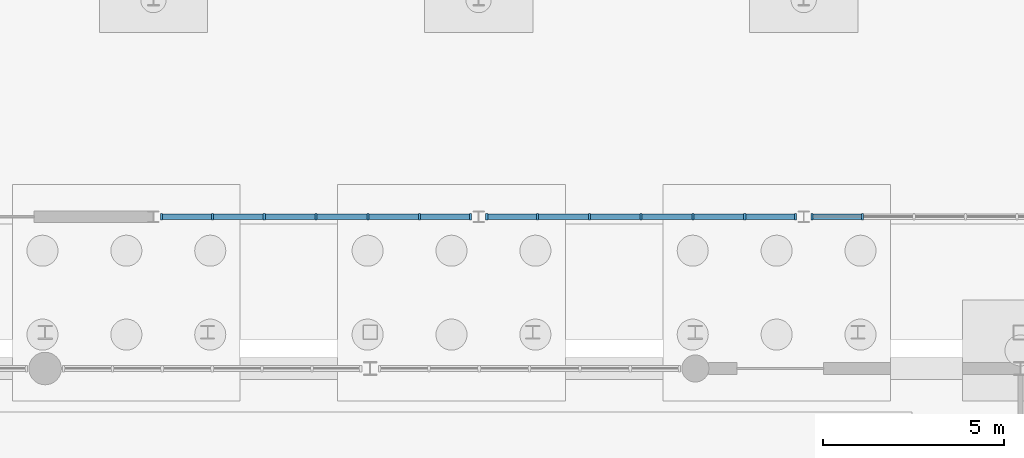
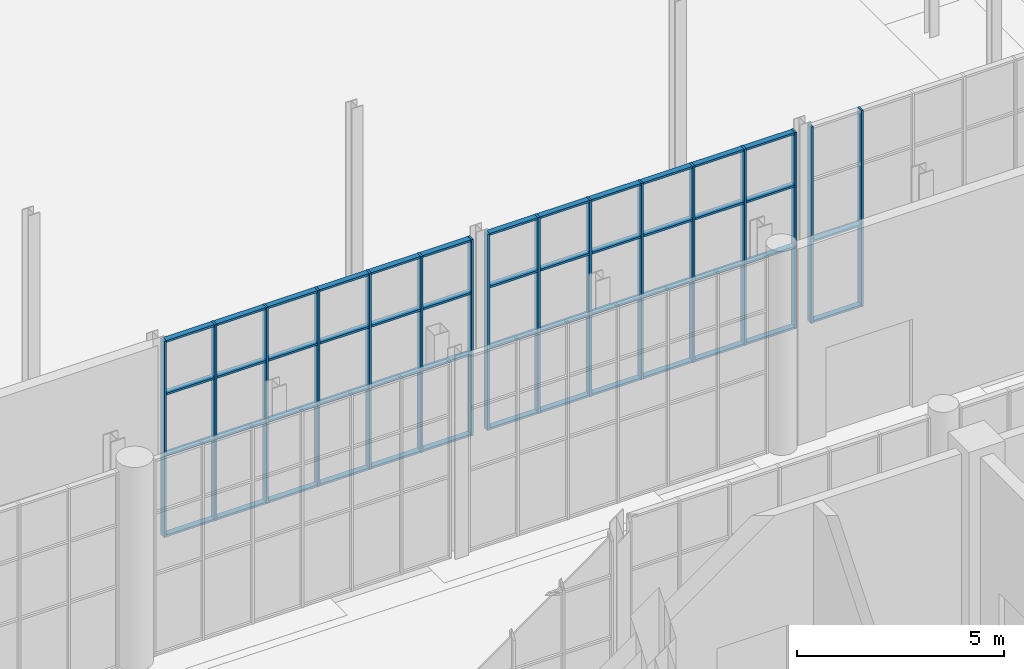
# One storey, part 67 of 131: 66 members, 3 elements without a shape of their own.
"""IFC4 building model written with IfcOpenShell, lengths in metres."""

from ifc_helpers import new_model, si_unit, direction, frame, origin, origin_2d, place, context, subcontext, project, spatial, rectangle, extrude, material, layer, layer_set, material_profile, profile_set, type_object, element, aggregate, save


model = new_model("IFC4")

# Units and contexts
model_context = context("Model", 3, precision=1e-05, world=origin(), true_north=direction((0.0, 1.0)))
body_context = subcontext(model_context, "Body", "Model", "MODEL_VIEW")
ifc_project = project(units=[si_unit("LENGTHUNIT", "METRE"), si_unit("AREAUNIT", "SQUARE_METRE"), si_unit("VOLUMEUNIT", "CUBIC_METRE"), si_unit("PLANEANGLEUNIT", "RADIAN"), si_unit("MASSUNIT", "GRAM", prefix="KILO")], contexts=[model_context])

# Site, building, storey
site_placement = place(None, origin())
site = spatial("IfcSite", under=ifc_project, at=site_placement, CompositionType="ELEMENT")
building_placement = place(site_placement, origin())
building = spatial("IfcBuilding", under=site, at=building_placement, Name="Cazmaro Siding Exhibition Halls", CompositionType="ELEMENT")
storey_placement = place(building_placement, origin())
storey = spatial("IfcBuildingStorey", under=building, at=storey_placement, Name="L00", CompositionType="ELEMENT", Elevation=0.0)

# Curtain wall, members
ifc_material_1 = material(Name="Anodized Bronze Aluminum and Solar-Control Low-E Glazing", Category="aluminium")
ifc_layer = layer(ifc_material_1, 0.179931640625)
ifc_layer_set = layer_set([ifc_layer], Name="Anodized Bronze Aluminum and Solar-Control Low-E Glazing")
curtain_wall_type = type_object("IfcCurtainWallType", Name="CWS-01", PredefinedType="USERDEFINED", material=ifc_layer_set)
curtain_wall_1_placement = place(storey_placement, origin())
curtain_wall_1 = element("IfcCurtainWall", 1, at=curtain_wall_1_placement, inside=storey, type_object=curtain_wall_type, Name="Glazed Curtain Wall CWS-01 CW-035", ObjectType="GLAZED CURTAIN WALL", PredefinedType="USERDEFINED")
ifc_material_2 = material(Name="Anodized Bronze Extruded Aluminum", Category="aluminium")
ifc_material_profile_1 = material_profile(ifc_material_2, rectangle(XDim=0.179931640625, YDim=0.06005859375, at=origin_2d()), Name="CWM-01")
ifc_profile_set_1 = profile_set([ifc_material_profile_1], Name="Anodized Bronze Extruded Aluminum")
member_type_1 = type_object("IfcMemberType", Name="CWM-01", PredefinedType="MULLION", material=ifc_profile_set_1)
member_1_placement = place(storey_placement, frame((129.22705078125, 67.199951171875, 0.0), z_axis=(0.0, 0.0, 1.0), x_axis=(0.0, 1.0, 0.0)))
member_1 = element("IfcMember", 2, at=member_1_placement, type_object=member_type_1, Name="CWS-01 mullion 1", PredefinedType="MULLION", context=body_context, shape_type="SweptSolid", body=[
    extrude(rectangle(XDim=0.179931640625, YDim=0.06005859375, at=origin_2d()), origin(), (0.0, 0.0, 1.0), 5.780029296875),
])
member_2_placement = place(storey_placement, frame((130.63134765625, 67.199951171875, 0.0), z_axis=(0.0, 0.0, 1.0), x_axis=(0.0, 1.0, 0.0)))
member_2 = element("IfcMember", 3, at=member_2_placement, type_object=member_type_1, Name="CWS-01 mullion 2", PredefinedType="MULLION", context=body_context, shape_type="SweptSolid", body=[
    extrude(rectangle(XDim=0.179931640625, YDim=0.06005859375, at=origin_2d()), origin(), (0.0, 0.0, 1.0), 5.780029296875),
])
member_3_placement = place(storey_placement, frame((132.065673828125, 67.199951171875, 0.0), z_axis=(0.0, 0.0, 1.0), x_axis=(0.0, 1.0, 0.0)))
member_3 = element("IfcMember", 4, at=member_3_placement, type_object=member_type_1, Name="CWS-01 mullion 3", PredefinedType="MULLION", context=body_context, shape_type="SweptSolid", body=[
    extrude(rectangle(XDim=0.179931640625, YDim=0.06005859375, at=origin_2d()), origin(), (0.0, 0.0, 1.0), 5.780029296875),
])
member_4_placement = place(storey_placement, frame((133.5, 67.199951171875, 0.0), z_axis=(0.0, 0.0, 1.0), x_axis=(0.0, 1.0, 0.0)))
member_4 = element("IfcMember", 5, at=member_4_placement, type_object=member_type_1, Name="CWS-01 mullion 4", PredefinedType="MULLION", context=body_context, shape_type="SweptSolid", body=[
    extrude(rectangle(XDim=0.179931640625, YDim=0.06005859375, at=origin_2d()), origin(), (0.0, 0.0, 1.0), 5.780029296875),
])
member_5_placement = place(storey_placement, frame((134.934326171875, 67.199951171875, 0.0), z_axis=(0.0, 0.0, 1.0), x_axis=(0.0, 1.0, 0.0)))
member_5 = element("IfcMember", 6, at=member_5_placement, type_object=member_type_1, Name="CWS-01 mullion 5", PredefinedType="MULLION", context=body_context, shape_type="SweptSolid", body=[
    extrude(rectangle(XDim=0.179931640625, YDim=0.06005859375, at=origin_2d()), origin(), (0.0, 0.0, 1.0), 5.780029296875),
])
member_6_placement = place(storey_placement, frame((136.36865234375, 67.199951171875, 0.0), z_axis=(0.0, 0.0, 1.0), x_axis=(0.0, 1.0, 0.0)))
member_6 = element("IfcMember", 7, at=member_6_placement, type_object=member_type_1, Name="CWS-01 mullion 6", PredefinedType="MULLION", context=body_context, shape_type="SweptSolid", body=[
    extrude(rectangle(XDim=0.179931640625, YDim=0.06005859375, at=origin_2d()), origin(), (0.0, 0.0, 1.0), 5.780029296875),
])
member_7_placement = place(storey_placement, frame((137.77294921875, 67.199951171875, 0.0), z_axis=(0.0, 0.0, 1.0), x_axis=(0.0, 1.0, 0.0)))
member_7 = element("IfcMember", 8, at=member_7_placement, type_object=member_type_1, Name="CWS-01 mullion 7", PredefinedType="MULLION", context=body_context, shape_type="SweptSolid", body=[
    extrude(rectangle(XDim=0.179931640625, YDim=0.06005859375, at=origin_2d()), origin(), (0.0, 0.0, 1.0), 5.780029296875),
])

curtain_wall_2_placement = place(storey_placement, origin())
curtain_wall_2 = element("IfcCurtainWall", 9, at=curtain_wall_2_placement, inside=storey, type_object=curtain_wall_type, Name="Glazed Curtain Wall CWS-01 CW-040", ObjectType="GLAZED CURTAIN WALL", PredefinedType="USERDEFINED")
member_8_placement = place(storey_placement, frame((138.22705078125, 67.199951171875, 0.0), z_axis=(0.0, 0.0, 1.0), x_axis=(0.0, 1.0, 0.0)))
member_8 = element("IfcMember", 10, at=member_8_placement, type_object=member_type_1, Name="CWS-01 mullion 1", PredefinedType="MULLION", context=body_context, shape_type="SweptSolid", body=[
    extrude(rectangle(XDim=0.179931640625, YDim=0.06005859375, at=origin_2d()), origin(), (0.0, 0.0, 1.0), 5.780029296875),
])
member_9_placement = place(storey_placement, frame((139.63134765625, 67.199951171875, 0.0), z_axis=(0.0, 0.0, 1.0), x_axis=(0.0, 1.0, 0.0)))
member_9 = element("IfcMember", 11, at=member_9_placement, type_object=member_type_1, Name="CWS-01 mullion 2", PredefinedType="MULLION", context=body_context, shape_type="SweptSolid", body=[
    extrude(rectangle(XDim=0.179931640625, YDim=0.06005859375, at=origin_2d()), origin(), (0.0, 0.0, 1.0), 5.780029296875),
])
member_10_placement = place(storey_placement, frame((141.065673828125, 67.199951171875, 0.0), z_axis=(0.0, 0.0, 1.0), x_axis=(0.0, 1.0, 0.0)))
member_10 = element("IfcMember", 12, at=member_10_placement, type_object=member_type_1, Name="CWS-01 mullion 3", PredefinedType="MULLION", context=body_context, shape_type="SweptSolid", body=[
    extrude(rectangle(XDim=0.179931640625, YDim=0.06005859375, at=origin_2d()), origin(), (0.0, 0.0, 1.0), 5.780029296875),
])
member_11_placement = place(storey_placement, frame((142.5, 67.199951171875, 0.0), z_axis=(0.0, 0.0, 1.0), x_axis=(0.0, 1.0, 0.0)))
member_11 = element("IfcMember", 13, at=member_11_placement, type_object=member_type_1, Name="CWS-01 mullion 4", PredefinedType="MULLION", context=body_context, shape_type="SweptSolid", body=[
    extrude(rectangle(XDim=0.179931640625, YDim=0.06005859375, at=origin_2d()), origin(), (0.0, 0.0, 1.0), 5.780029296875),
])
member_12_placement = place(storey_placement, frame((143.934326171875, 67.199951171875, 0.0), z_axis=(0.0, 0.0, 1.0), x_axis=(0.0, 1.0, 0.0)))
member_12 = element("IfcMember", 14, at=member_12_placement, type_object=member_type_1, Name="CWS-01 mullion 5", PredefinedType="MULLION", context=body_context, shape_type="SweptSolid", body=[
    extrude(rectangle(XDim=0.179931640625, YDim=0.06005859375, at=origin_2d()), origin(), (0.0, 0.0, 1.0), 5.780029296875),
])
member_13_placement = place(storey_placement, frame((145.36865234375, 67.199951171875, 0.0), z_axis=(0.0, 0.0, 1.0), x_axis=(0.0, 1.0, 0.0)))
member_13 = element("IfcMember", 15, at=member_13_placement, type_object=member_type_1, Name="CWS-01 mullion 6", PredefinedType="MULLION", context=body_context, shape_type="SweptSolid", body=[
    extrude(rectangle(XDim=0.179931640625, YDim=0.06005859375, at=origin_2d()), origin(), (0.0, 0.0, 1.0), 5.780029296875),
])
member_14_placement = place(storey_placement, frame((146.77294921875, 67.199951171875, 0.0), z_axis=(0.0, 0.0, 1.0), x_axis=(0.0, 1.0, 0.0)))
member_14 = element("IfcMember", 16, at=member_14_placement, type_object=member_type_1, Name="CWS-01 mullion 7", PredefinedType="MULLION", context=body_context, shape_type="SweptSolid", body=[
    extrude(rectangle(XDim=0.179931640625, YDim=0.06005859375, at=origin_2d()), origin(), (0.0, 0.0, 1.0), 5.780029296875),
])

curtain_wall_3_placement = place(storey_placement, origin())
curtain_wall_3 = element("IfcCurtainWall", 17, at=curtain_wall_3_placement, inside=storey, type_object=curtain_wall_type, Name="Glazed Curtain Wall CWS-01 CW-043", ObjectType="GLAZED CURTAIN WALL", PredefinedType="USERDEFINED")
member_15_placement = place(storey_placement, frame((147.22705078125, 67.199951171875, 0.0), z_axis=(0.0, 0.0, 1.0), x_axis=(0.0, 1.0, 0.0)))
member_15 = element("IfcMember", 18, at=member_15_placement, type_object=member_type_1, Name="CWS-01 mullion 1", PredefinedType="MULLION", context=body_context, shape_type="SweptSolid", body=[
    extrude(rectangle(XDim=0.179931640625, YDim=0.06005859375, at=origin_2d()), origin(), (0.0, 0.0, 1.0), 5.780029296875),
])
member_16_placement = place(storey_placement, frame((148.622802734375, 67.199951171875, 0.0), z_axis=(0.0, 0.0, 1.0), x_axis=(0.0, 1.0, 0.0)))
member_16 = element("IfcMember", 19, at=member_16_placement, type_object=member_type_1, Name="CWS-01 mullion 2", PredefinedType="MULLION", context=body_context, shape_type="SweptSolid", body=[
    extrude(rectangle(XDim=0.179931640625, YDim=0.06005859375, at=origin_2d()), origin(), (0.0, 0.0, 1.0), 5.780029296875),
])

# Member
ifc_material_3 = material(Name="Anodized Bronze Extruded Aluminum", Category="aluminium")
ifc_material_profile_2 = material_profile(ifc_material_3, rectangle(XDim=0.159912109375, YDim=0.06005859375, at=origin_2d()), Name="CWT-01")
ifc_profile_set_2 = profile_set([ifc_material_profile_2], Name="Anodized Bronze Extruded Aluminum")
member_type_2 = type_object("IfcMemberType", Name="CWT-01", PredefinedType="MULLION", material=ifc_profile_set_2)
member_17_placement = place(storey_placement, frame((129.257080078125, 67.199951171875, 0.030029296875), z_axis=(1.0, 0.0, 0.0), x_axis=(0.0, 1.0, 0.0)))
member_17 = element("IfcMember", 20, at=member_17_placement, type_object=member_type_2, Name="CWS-01 transom 1.1", ObjectType="TRANSOM", PredefinedType="USERDEFINED", context=body_context, shape_type="SweptSolid", body=[
    extrude(rectangle(XDim=0.159912109375, YDim=0.06005859375, at=origin_2d()), origin(), (0.0, 0.0, 1.0), 1.34423828125),
])

member_18_placement = place(storey_placement, frame((129.257080078125, 67.199951171875, 2.39990234375), z_axis=(1.0, 0.0, 0.0), x_axis=(0.0, 1.0, 0.0)))
member_18 = element("IfcMember", 21, at=member_18_placement, type_object=member_type_2, Name="CWS-01 transom 1.2", ObjectType="TRANSOM", PredefinedType="USERDEFINED", context=body_context, shape_type="SweptSolid", body=[
    extrude(rectangle(XDim=0.159912109375, YDim=0.06005859375, at=origin_2d()), origin(), (0.0, 0.0, 1.0), 1.34423828125),
])

member_19_placement = place(storey_placement, frame((129.257080078125, 67.199951171875, 4.199951171875), z_axis=(1.0, 0.0, 0.0), x_axis=(0.0, 1.0, 0.0)))
member_19 = element("IfcMember", 22, at=member_19_placement, type_object=member_type_2, Name="CWS-01 transom 1.3", ObjectType="TRANSOM", PredefinedType="USERDEFINED", context=body_context, shape_type="SweptSolid", body=[
    extrude(rectangle(XDim=0.159912109375, YDim=0.06005859375, at=origin_2d()), origin(), (0.0, 0.0, 1.0), 1.34423828125),
])

member_20_placement = place(storey_placement, frame((129.257080078125, 67.199951171875, 5.75), z_axis=(1.0, 0.0, 0.0), x_axis=(0.0, 1.0, 0.0)))
member_20 = element("IfcMember", 23, at=member_20_placement, type_object=member_type_2, Name="CWS-01 transom 1.4", ObjectType="TRANSOM", PredefinedType="USERDEFINED", context=body_context, shape_type="SweptSolid", body=[
    extrude(rectangle(XDim=0.159912109375, YDim=0.06005859375, at=origin_2d()), origin(), (0.0, 0.0, 1.0), 1.34423828125),
])

member_21_placement = place(storey_placement, frame((130.661376953125, 67.199951171875, 0.030029296875), z_axis=(1.0, 0.0, 0.0), x_axis=(0.0, 1.0, 0.0)))
member_21 = element("IfcMember", 24, at=member_21_placement, type_object=member_type_2, Name="CWS-01 transom 2.1", ObjectType="TRANSOM", PredefinedType="USERDEFINED", context=body_context, shape_type="SweptSolid", body=[
    extrude(rectangle(XDim=0.159912109375, YDim=0.06005859375, at=origin_2d()), origin(), (0.0, 0.0, 1.0), 1.374267578125),
])

member_22_placement = place(storey_placement, frame((130.661376953125, 67.199951171875, 2.39990234375), z_axis=(1.0, 0.0, 0.0), x_axis=(0.0, 1.0, 0.0)))
member_22 = element("IfcMember", 25, at=member_22_placement, type_object=member_type_2, Name="CWS-01 transom 2.2", ObjectType="TRANSOM", PredefinedType="USERDEFINED", context=body_context, shape_type="SweptSolid", body=[
    extrude(rectangle(XDim=0.159912109375, YDim=0.06005859375, at=origin_2d()), origin(), (0.0, 0.0, 1.0), 1.374267578125),
])

member_23_placement = place(storey_placement, frame((130.661376953125, 67.199951171875, 4.199951171875), z_axis=(1.0, 0.0, 0.0), x_axis=(0.0, 1.0, 0.0)))
member_23 = element("IfcMember", 26, at=member_23_placement, type_object=member_type_2, Name="CWS-01 transom 2.3", ObjectType="TRANSOM", PredefinedType="USERDEFINED", context=body_context, shape_type="SweptSolid", body=[
    extrude(rectangle(XDim=0.159912109375, YDim=0.06005859375, at=origin_2d()), origin(), (0.0, 0.0, 1.0), 1.374267578125),
])

member_24_placement = place(storey_placement, frame((130.661376953125, 67.199951171875, 5.75), z_axis=(1.0, 0.0, 0.0), x_axis=(0.0, 1.0, 0.0)))
member_24 = element("IfcMember", 27, at=member_24_placement, type_object=member_type_2, Name="CWS-01 transom 2.4", ObjectType="TRANSOM", PredefinedType="USERDEFINED", context=body_context, shape_type="SweptSolid", body=[
    extrude(rectangle(XDim=0.159912109375, YDim=0.06005859375, at=origin_2d()), origin(), (0.0, 0.0, 1.0), 1.374267578125),
])

member_25_placement = place(storey_placement, frame((132.095703125, 67.199951171875, 0.030029296875), z_axis=(1.0, 0.0, 0.0), x_axis=(0.0, 1.0, 0.0)))
member_25 = element("IfcMember", 28, at=member_25_placement, type_object=member_type_2, Name="CWS-01 transom 3.1", ObjectType="TRANSOM", PredefinedType="USERDEFINED", context=body_context, shape_type="SweptSolid", body=[
    extrude(rectangle(XDim=0.159912109375, YDim=0.06005859375, at=origin_2d()), origin(), (0.0, 0.0, 1.0), 1.374267578125),
])

member_26_placement = place(storey_placement, frame((132.095703125, 67.199951171875, 2.39990234375), z_axis=(1.0, 0.0, 0.0), x_axis=(0.0, 1.0, 0.0)))
member_26 = element("IfcMember", 29, at=member_26_placement, type_object=member_type_2, Name="CWS-01 transom 3.2", ObjectType="TRANSOM", PredefinedType="USERDEFINED", context=body_context, shape_type="SweptSolid", body=[
    extrude(rectangle(XDim=0.159912109375, YDim=0.06005859375, at=origin_2d()), origin(), (0.0, 0.0, 1.0), 1.374267578125),
])

member_27_placement = place(storey_placement, frame((132.095703125, 67.199951171875, 4.199951171875), z_axis=(1.0, 0.0, 0.0), x_axis=(0.0, 1.0, 0.0)))
member_27 = element("IfcMember", 30, at=member_27_placement, type_object=member_type_2, Name="CWS-01 transom 3.3", ObjectType="TRANSOM", PredefinedType="USERDEFINED", context=body_context, shape_type="SweptSolid", body=[
    extrude(rectangle(XDim=0.159912109375, YDim=0.06005859375, at=origin_2d()), origin(), (0.0, 0.0, 1.0), 1.374267578125),
])

member_28_placement = place(storey_placement, frame((132.095703125, 67.199951171875, 5.75), z_axis=(1.0, 0.0, 0.0), x_axis=(0.0, 1.0, 0.0)))
member_28 = element("IfcMember", 31, at=member_28_placement, type_object=member_type_2, Name="CWS-01 transom 3.4", ObjectType="TRANSOM", PredefinedType="USERDEFINED", context=body_context, shape_type="SweptSolid", body=[
    extrude(rectangle(XDim=0.159912109375, YDim=0.06005859375, at=origin_2d()), origin(), (0.0, 0.0, 1.0), 1.374267578125),
])

member_29_placement = place(storey_placement, frame((133.530029296875, 67.199951171875, 0.030029296875), z_axis=(1.0, 0.0, 0.0), x_axis=(0.0, 1.0, 0.0)))
member_29 = element("IfcMember", 32, at=member_29_placement, type_object=member_type_2, Name="CWS-01 transom 4.1", ObjectType="TRANSOM", PredefinedType="USERDEFINED", context=body_context, shape_type="SweptSolid", body=[
    extrude(rectangle(XDim=0.159912109375, YDim=0.06005859375, at=origin_2d()), origin(), (0.0, 0.0, 1.0), 1.374267578125),
])

member_30_placement = place(storey_placement, frame((133.530029296875, 67.199951171875, 2.39990234375), z_axis=(1.0, 0.0, 0.0), x_axis=(0.0, 1.0, 0.0)))
member_30 = element("IfcMember", 33, at=member_30_placement, type_object=member_type_2, Name="CWS-01 transom 4.2", ObjectType="TRANSOM", PredefinedType="USERDEFINED", context=body_context, shape_type="SweptSolid", body=[
    extrude(rectangle(XDim=0.159912109375, YDim=0.06005859375, at=origin_2d()), origin(), (0.0, 0.0, 1.0), 1.374267578125),
])

member_31_placement = place(storey_placement, frame((133.530029296875, 67.199951171875, 4.199951171875), z_axis=(1.0, 0.0, 0.0), x_axis=(0.0, 1.0, 0.0)))
member_31 = element("IfcMember", 34, at=member_31_placement, type_object=member_type_2, Name="CWS-01 transom 4.3", ObjectType="TRANSOM", PredefinedType="USERDEFINED", context=body_context, shape_type="SweptSolid", body=[
    extrude(rectangle(XDim=0.159912109375, YDim=0.06005859375, at=origin_2d()), origin(), (0.0, 0.0, 1.0), 1.374267578125),
])

member_32_placement = place(storey_placement, frame((133.530029296875, 67.199951171875, 5.75), z_axis=(1.0, 0.0, 0.0), x_axis=(0.0, 1.0, 0.0)))
member_32 = element("IfcMember", 35, at=member_32_placement, type_object=member_type_2, Name="CWS-01 transom 4.4", ObjectType="TRANSOM", PredefinedType="USERDEFINED", context=body_context, shape_type="SweptSolid", body=[
    extrude(rectangle(XDim=0.159912109375, YDim=0.06005859375, at=origin_2d()), origin(), (0.0, 0.0, 1.0), 1.374267578125),
])

member_33_placement = place(storey_placement, frame((134.96435546875, 67.199951171875, 0.030029296875), z_axis=(1.0, 0.0, 0.0), x_axis=(0.0, 1.0, 0.0)))
member_33 = element("IfcMember", 36, at=member_33_placement, type_object=member_type_2, Name="CWS-01 transom 5.1", ObjectType="TRANSOM", PredefinedType="USERDEFINED", context=body_context, shape_type="SweptSolid", body=[
    extrude(rectangle(XDim=0.159912109375, YDim=0.06005859375, at=origin_2d()), origin(), (0.0, 0.0, 1.0), 1.374267578125),
])

member_34_placement = place(storey_placement, frame((134.96435546875, 67.199951171875, 2.39990234375), z_axis=(1.0, 0.0, 0.0), x_axis=(0.0, 1.0, 0.0)))
member_34 = element("IfcMember", 37, at=member_34_placement, type_object=member_type_2, Name="CWS-01 transom 5.2", ObjectType="TRANSOM", PredefinedType="USERDEFINED", context=body_context, shape_type="SweptSolid", body=[
    extrude(rectangle(XDim=0.159912109375, YDim=0.06005859375, at=origin_2d()), origin(), (0.0, 0.0, 1.0), 1.374267578125),
])

member_35_placement = place(storey_placement, frame((134.96435546875, 67.199951171875, 4.199951171875), z_axis=(1.0, 0.0, 0.0), x_axis=(0.0, 1.0, 0.0)))
member_35 = element("IfcMember", 38, at=member_35_placement, type_object=member_type_2, Name="CWS-01 transom 5.3", ObjectType="TRANSOM", PredefinedType="USERDEFINED", context=body_context, shape_type="SweptSolid", body=[
    extrude(rectangle(XDim=0.159912109375, YDim=0.06005859375, at=origin_2d()), origin(), (0.0, 0.0, 1.0), 1.374267578125),
])

member_36_placement = place(storey_placement, frame((134.96435546875, 67.199951171875, 5.75), z_axis=(1.0, 0.0, 0.0), x_axis=(0.0, 1.0, 0.0)))
member_36 = element("IfcMember", 39, at=member_36_placement, type_object=member_type_2, Name="CWS-01 transom 5.4", ObjectType="TRANSOM", PredefinedType="USERDEFINED", context=body_context, shape_type="SweptSolid", body=[
    extrude(rectangle(XDim=0.159912109375, YDim=0.06005859375, at=origin_2d()), origin(), (0.0, 0.0, 1.0), 1.374267578125),
])

member_37_placement = place(storey_placement, frame((136.398681640625, 67.199951171875, 0.030029296875), z_axis=(1.0, 0.0, 0.0), x_axis=(0.0, 1.0, 0.0)))
member_37 = element("IfcMember", 40, at=member_37_placement, type_object=member_type_2, Name="CWS-01 transom 6.1", ObjectType="TRANSOM", PredefinedType="USERDEFINED", context=body_context, shape_type="SweptSolid", body=[
    extrude(rectangle(XDim=0.159912109375, YDim=0.06005859375, at=origin_2d()), origin(), (0.0, 0.0, 1.0), 1.34423828125),
])

member_38_placement = place(storey_placement, frame((136.398681640625, 67.199951171875, 2.39990234375), z_axis=(1.0, 0.0, 0.0), x_axis=(0.0, 1.0, 0.0)))
member_38 = element("IfcMember", 41, at=member_38_placement, type_object=member_type_2, Name="CWS-01 transom 6.2", ObjectType="TRANSOM", PredefinedType="USERDEFINED", context=body_context, shape_type="SweptSolid", body=[
    extrude(rectangle(XDim=0.159912109375, YDim=0.06005859375, at=origin_2d()), origin(), (0.0, 0.0, 1.0), 1.34423828125),
])

member_39_placement = place(storey_placement, frame((136.398681640625, 67.199951171875, 4.199951171875), z_axis=(1.0, 0.0, 0.0), x_axis=(0.0, 1.0, 0.0)))
member_39 = element("IfcMember", 42, at=member_39_placement, type_object=member_type_2, Name="CWS-01 transom 6.3", ObjectType="TRANSOM", PredefinedType="USERDEFINED", context=body_context, shape_type="SweptSolid", body=[
    extrude(rectangle(XDim=0.159912109375, YDim=0.06005859375, at=origin_2d()), origin(), (0.0, 0.0, 1.0), 1.34423828125),
])

member_40_placement = place(storey_placement, frame((136.398681640625, 67.199951171875, 5.75), z_axis=(1.0, 0.0, 0.0), x_axis=(0.0, 1.0, 0.0)))
member_40 = element("IfcMember", 43, at=member_40_placement, type_object=member_type_2, Name="CWS-01 transom 6.4", ObjectType="TRANSOM", PredefinedType="USERDEFINED", context=body_context, shape_type="SweptSolid", body=[
    extrude(rectangle(XDim=0.159912109375, YDim=0.06005859375, at=origin_2d()), origin(), (0.0, 0.0, 1.0), 1.34423828125),
])

aggregate(curtain_wall_1, [member_1, member_2, member_3, member_4, member_5, member_6, member_7, member_17, member_18, member_19, member_20, member_21, member_22, member_23, member_24, member_25, member_26, member_27, member_28, member_29, member_30, member_31, member_32, member_33, member_34, member_35, member_36, member_37, member_38, member_39, member_40])

member_41_placement = place(storey_placement, frame((138.257080078125, 67.199951171875, 0.030029296875), z_axis=(1.0, 0.0, 0.0), x_axis=(0.0, 1.0, 0.0)))
member_41 = element("IfcMember", 44, at=member_41_placement, type_object=member_type_2, Name="CWS-01 transom 1.1", ObjectType="TRANSOM", PredefinedType="USERDEFINED", context=body_context, shape_type="SweptSolid", body=[
    extrude(rectangle(XDim=0.159912109375, YDim=0.06005859375, at=origin_2d()), origin(), (0.0, 0.0, 1.0), 1.34423828125),
])

member_42_placement = place(storey_placement, frame((138.257080078125, 67.199951171875, 2.39990234375), z_axis=(1.0, 0.0, 0.0), x_axis=(0.0, 1.0, 0.0)))
member_42 = element("IfcMember", 45, at=member_42_placement, type_object=member_type_2, Name="CWS-01 transom 1.2", ObjectType="TRANSOM", PredefinedType="USERDEFINED", context=body_context, shape_type="SweptSolid", body=[
    extrude(rectangle(XDim=0.159912109375, YDim=0.06005859375, at=origin_2d()), origin(), (0.0, 0.0, 1.0), 1.34423828125),
])

member_43_placement = place(storey_placement, frame((138.257080078125, 67.199951171875, 4.199951171875), z_axis=(1.0, 0.0, 0.0), x_axis=(0.0, 1.0, 0.0)))
member_43 = element("IfcMember", 46, at=member_43_placement, type_object=member_type_2, Name="CWS-01 transom 1.3", ObjectType="TRANSOM", PredefinedType="USERDEFINED", context=body_context, shape_type="SweptSolid", body=[
    extrude(rectangle(XDim=0.159912109375, YDim=0.06005859375, at=origin_2d()), origin(), (0.0, 0.0, 1.0), 1.34423828125),
])

member_44_placement = place(storey_placement, frame((138.257080078125, 67.199951171875, 5.75), z_axis=(1.0, 0.0, 0.0), x_axis=(0.0, 1.0, 0.0)))
member_44 = element("IfcMember", 47, at=member_44_placement, type_object=member_type_2, Name="CWS-01 transom 1.4", ObjectType="TRANSOM", PredefinedType="USERDEFINED", context=body_context, shape_type="SweptSolid", body=[
    extrude(rectangle(XDim=0.159912109375, YDim=0.06005859375, at=origin_2d()), origin(), (0.0, 0.0, 1.0), 1.34423828125),
])

member_45_placement = place(storey_placement, frame((139.661376953125, 67.199951171875, 0.030029296875), z_axis=(1.0, 0.0, 0.0), x_axis=(0.0, 1.0, 0.0)))
member_45 = element("IfcMember", 48, at=member_45_placement, type_object=member_type_2, Name="CWS-01 transom 2.1", ObjectType="TRANSOM", PredefinedType="USERDEFINED", context=body_context, shape_type="SweptSolid", body=[
    extrude(rectangle(XDim=0.159912109375, YDim=0.06005859375, at=origin_2d()), origin(), (0.0, 0.0, 1.0), 1.374267578125),
])

member_46_placement = place(storey_placement, frame((139.661376953125, 67.199951171875, 2.39990234375), z_axis=(1.0, 0.0, 0.0), x_axis=(0.0, 1.0, 0.0)))
member_46 = element("IfcMember", 49, at=member_46_placement, type_object=member_type_2, Name="CWS-01 transom 2.2", ObjectType="TRANSOM", PredefinedType="USERDEFINED", context=body_context, shape_type="SweptSolid", body=[
    extrude(rectangle(XDim=0.159912109375, YDim=0.06005859375, at=origin_2d()), origin(), (0.0, 0.0, 1.0), 1.374267578125),
])

member_47_placement = place(storey_placement, frame((139.661376953125, 67.199951171875, 4.199951171875), z_axis=(1.0, 0.0, 0.0), x_axis=(0.0, 1.0, 0.0)))
member_47 = element("IfcMember", 50, at=member_47_placement, type_object=member_type_2, Name="CWS-01 transom 2.3", ObjectType="TRANSOM", PredefinedType="USERDEFINED", context=body_context, shape_type="SweptSolid", body=[
    extrude(rectangle(XDim=0.159912109375, YDim=0.06005859375, at=origin_2d()), origin(), (0.0, 0.0, 1.0), 1.374267578125),
])

member_48_placement = place(storey_placement, frame((139.661376953125, 67.199951171875, 5.75), z_axis=(1.0, 0.0, 0.0), x_axis=(0.0, 1.0, 0.0)))
member_48 = element("IfcMember", 51, at=member_48_placement, type_object=member_type_2, Name="CWS-01 transom 2.4", ObjectType="TRANSOM", PredefinedType="USERDEFINED", context=body_context, shape_type="SweptSolid", body=[
    extrude(rectangle(XDim=0.159912109375, YDim=0.06005859375, at=origin_2d()), origin(), (0.0, 0.0, 1.0), 1.374267578125),
])

member_49_placement = place(storey_placement, frame((141.095703125, 67.199951171875, 0.030029296875), z_axis=(1.0, 0.0, 0.0), x_axis=(0.0, 1.0, 0.0)))
member_49 = element("IfcMember", 52, at=member_49_placement, type_object=member_type_2, Name="CWS-01 transom 3.1", ObjectType="TRANSOM", PredefinedType="USERDEFINED", context=body_context, shape_type="SweptSolid", body=[
    extrude(rectangle(XDim=0.159912109375, YDim=0.06005859375, at=origin_2d()), origin(), (0.0, 0.0, 1.0), 1.374267578125),
])

member_50_placement = place(storey_placement, frame((141.095703125, 67.199951171875, 2.39990234375), z_axis=(1.0, 0.0, 0.0), x_axis=(0.0, 1.0, 0.0)))
member_50 = element("IfcMember", 53, at=member_50_placement, type_object=member_type_2, Name="CWS-01 transom 3.2", ObjectType="TRANSOM", PredefinedType="USERDEFINED", context=body_context, shape_type="SweptSolid", body=[
    extrude(rectangle(XDim=0.159912109375, YDim=0.06005859375, at=origin_2d()), origin(), (0.0, 0.0, 1.0), 1.374267578125),
])

member_51_placement = place(storey_placement, frame((141.095703125, 67.199951171875, 4.199951171875), z_axis=(1.0, 0.0, 0.0), x_axis=(0.0, 1.0, 0.0)))
member_51 = element("IfcMember", 54, at=member_51_placement, type_object=member_type_2, Name="CWS-01 transom 3.3", ObjectType="TRANSOM", PredefinedType="USERDEFINED", context=body_context, shape_type="SweptSolid", body=[
    extrude(rectangle(XDim=0.159912109375, YDim=0.06005859375, at=origin_2d()), origin(), (0.0, 0.0, 1.0), 1.374267578125),
])

member_52_placement = place(storey_placement, frame((141.095703125, 67.199951171875, 5.75), z_axis=(1.0, 0.0, 0.0), x_axis=(0.0, 1.0, 0.0)))
member_52 = element("IfcMember", 55, at=member_52_placement, type_object=member_type_2, Name="CWS-01 transom 3.4", ObjectType="TRANSOM", PredefinedType="USERDEFINED", context=body_context, shape_type="SweptSolid", body=[
    extrude(rectangle(XDim=0.159912109375, YDim=0.06005859375, at=origin_2d()), origin(), (0.0, 0.0, 1.0), 1.374267578125),
])

member_53_placement = place(storey_placement, frame((142.530029296875, 67.199951171875, 0.030029296875), z_axis=(1.0, 0.0, 0.0), x_axis=(0.0, 1.0, 0.0)))
member_53 = element("IfcMember", 56, at=member_53_placement, type_object=member_type_2, Name="CWS-01 transom 4.1", ObjectType="TRANSOM", PredefinedType="USERDEFINED", context=body_context, shape_type="SweptSolid", body=[
    extrude(rectangle(XDim=0.159912109375, YDim=0.06005859375, at=origin_2d()), origin(), (0.0, 0.0, 1.0), 1.374267578125),
])

member_54_placement = place(storey_placement, frame((142.530029296875, 67.199951171875, 2.39990234375), z_axis=(1.0, 0.0, 0.0), x_axis=(0.0, 1.0, 0.0)))
member_54 = element("IfcMember", 57, at=member_54_placement, type_object=member_type_2, Name="CWS-01 transom 4.2", ObjectType="TRANSOM", PredefinedType="USERDEFINED", context=body_context, shape_type="SweptSolid", body=[
    extrude(rectangle(XDim=0.159912109375, YDim=0.06005859375, at=origin_2d()), origin(), (0.0, 0.0, 1.0), 1.374267578125),
])

member_55_placement = place(storey_placement, frame((142.530029296875, 67.199951171875, 4.199951171875), z_axis=(1.0, 0.0, 0.0), x_axis=(0.0, 1.0, 0.0)))
member_55 = element("IfcMember", 58, at=member_55_placement, type_object=member_type_2, Name="CWS-01 transom 4.3", ObjectType="TRANSOM", PredefinedType="USERDEFINED", context=body_context, shape_type="SweptSolid", body=[
    extrude(rectangle(XDim=0.159912109375, YDim=0.06005859375, at=origin_2d()), origin(), (0.0, 0.0, 1.0), 1.374267578125),
])

member_56_placement = place(storey_placement, frame((142.530029296875, 67.199951171875, 5.75), z_axis=(1.0, 0.0, 0.0), x_axis=(0.0, 1.0, 0.0)))
member_56 = element("IfcMember", 59, at=member_56_placement, type_object=member_type_2, Name="CWS-01 transom 4.4", ObjectType="TRANSOM", PredefinedType="USERDEFINED", context=body_context, shape_type="SweptSolid", body=[
    extrude(rectangle(XDim=0.159912109375, YDim=0.06005859375, at=origin_2d()), origin(), (0.0, 0.0, 1.0), 1.374267578125),
])

member_57_placement = place(storey_placement, frame((143.96435546875, 67.199951171875, 0.030029296875), z_axis=(1.0, 0.0, 0.0), x_axis=(0.0, 1.0, 0.0)))
member_57 = element("IfcMember", 60, at=member_57_placement, type_object=member_type_2, Name="CWS-01 transom 5.1", ObjectType="TRANSOM", PredefinedType="USERDEFINED", context=body_context, shape_type="SweptSolid", body=[
    extrude(rectangle(XDim=0.159912109375, YDim=0.06005859375, at=origin_2d()), origin(), (0.0, 0.0, 1.0), 1.374267578125),
])

member_58_placement = place(storey_placement, frame((143.96435546875, 67.199951171875, 2.39990234375), z_axis=(1.0, 0.0, 0.0), x_axis=(0.0, 1.0, 0.0)))
member_58 = element("IfcMember", 61, at=member_58_placement, type_object=member_type_2, Name="CWS-01 transom 5.2", ObjectType="TRANSOM", PredefinedType="USERDEFINED", context=body_context, shape_type="SweptSolid", body=[
    extrude(rectangle(XDim=0.159912109375, YDim=0.06005859375, at=origin_2d()), origin(), (0.0, 0.0, 1.0), 1.374267578125),
])

member_59_placement = place(storey_placement, frame((143.96435546875, 67.199951171875, 4.199951171875), z_axis=(1.0, 0.0, 0.0), x_axis=(0.0, 1.0, 0.0)))
member_59 = element("IfcMember", 62, at=member_59_placement, type_object=member_type_2, Name="CWS-01 transom 5.3", ObjectType="TRANSOM", PredefinedType="USERDEFINED", context=body_context, shape_type="SweptSolid", body=[
    extrude(rectangle(XDim=0.159912109375, YDim=0.06005859375, at=origin_2d()), origin(), (0.0, 0.0, 1.0), 1.374267578125),
])

member_60_placement = place(storey_placement, frame((143.96435546875, 67.199951171875, 5.75), z_axis=(1.0, 0.0, 0.0), x_axis=(0.0, 1.0, 0.0)))
member_60 = element("IfcMember", 63, at=member_60_placement, type_object=member_type_2, Name="CWS-01 transom 5.4", ObjectType="TRANSOM", PredefinedType="USERDEFINED", context=body_context, shape_type="SweptSolid", body=[
    extrude(rectangle(XDim=0.159912109375, YDim=0.06005859375, at=origin_2d()), origin(), (0.0, 0.0, 1.0), 1.374267578125),
])

member_61_placement = place(storey_placement, frame((145.398681640625, 67.199951171875, 0.030029296875), z_axis=(1.0, 0.0, 0.0), x_axis=(0.0, 1.0, 0.0)))
member_61 = element("IfcMember", 64, at=member_61_placement, type_object=member_type_2, Name="CWS-01 transom 6.1", ObjectType="TRANSOM", PredefinedType="USERDEFINED", context=body_context, shape_type="SweptSolid", body=[
    extrude(rectangle(XDim=0.159912109375, YDim=0.06005859375, at=origin_2d()), origin(), (0.0, 0.0, 1.0), 1.34423828125),
])

member_62_placement = place(storey_placement, frame((145.398681640625, 67.199951171875, 2.39990234375), z_axis=(1.0, 0.0, 0.0), x_axis=(0.0, 1.0, 0.0)))
member_62 = element("IfcMember", 65, at=member_62_placement, type_object=member_type_2, Name="CWS-01 transom 6.2", ObjectType="TRANSOM", PredefinedType="USERDEFINED", context=body_context, shape_type="SweptSolid", body=[
    extrude(rectangle(XDim=0.159912109375, YDim=0.06005859375, at=origin_2d()), origin(), (0.0, 0.0, 1.0), 1.34423828125),
])

member_63_placement = place(storey_placement, frame((145.398681640625, 67.199951171875, 4.199951171875), z_axis=(1.0, 0.0, 0.0), x_axis=(0.0, 1.0, 0.0)))
member_63 = element("IfcMember", 66, at=member_63_placement, type_object=member_type_2, Name="CWS-01 transom 6.3", ObjectType="TRANSOM", PredefinedType="USERDEFINED", context=body_context, shape_type="SweptSolid", body=[
    extrude(rectangle(XDim=0.159912109375, YDim=0.06005859375, at=origin_2d()), origin(), (0.0, 0.0, 1.0), 1.34423828125),
])

member_64_placement = place(storey_placement, frame((145.398681640625, 67.199951171875, 5.75), z_axis=(1.0, 0.0, 0.0), x_axis=(0.0, 1.0, 0.0)))
member_64 = element("IfcMember", 67, at=member_64_placement, type_object=member_type_2, Name="CWS-01 transom 6.4", ObjectType="TRANSOM", PredefinedType="USERDEFINED", context=body_context, shape_type="SweptSolid", body=[
    extrude(rectangle(XDim=0.159912109375, YDim=0.06005859375, at=origin_2d()), origin(), (0.0, 0.0, 1.0), 1.34423828125),
])

aggregate(curtain_wall_2, [member_8, member_9, member_10, member_11, member_12, member_13, member_14, member_41, member_42, member_43, member_44, member_45, member_46, member_47, member_48, member_49, member_50, member_51, member_52, member_53, member_54, member_55, member_56, member_57, member_58, member_59, member_60, member_61, member_62, member_63, member_64])

member_65_placement = place(storey_placement, frame((147.257080078125, 67.199951171875, 0.030029296875), z_axis=(1.0, 0.0, 0.0), x_axis=(0.0, 1.0, 0.0)))
member_65 = element("IfcMember", 68, at=member_65_placement, type_object=member_type_2, Name="CWS-01 transom 1.1", ObjectType="TRANSOM", PredefinedType="USERDEFINED", context=body_context, shape_type="SweptSolid", body=[
    extrude(rectangle(XDim=0.159912109375, YDim=0.06005859375, at=origin_2d()), origin(), (0.0, 0.0, 1.0), 1.335693359375),
])

member_66_placement = place(storey_placement, frame((147.257080078125, 67.199951171875, 2.39990234375), z_axis=(1.0, 0.0, 0.0), x_axis=(0.0, 1.0, 0.0)))
member_66 = element("IfcMember", 69, at=member_66_placement, type_object=member_type_2, Name="CWS-01 transom 1.2", ObjectType="TRANSOM", PredefinedType="USERDEFINED", context=body_context, shape_type="SweptSolid", body=[
    extrude(rectangle(XDim=0.159912109375, YDim=0.06005859375, at=origin_2d()), origin(), (0.0, 0.0, 1.0), 1.335693359375),
])

aggregate(curtain_wall_3, [member_15, member_16, member_65, member_66])

save(model, "model.ifc")
